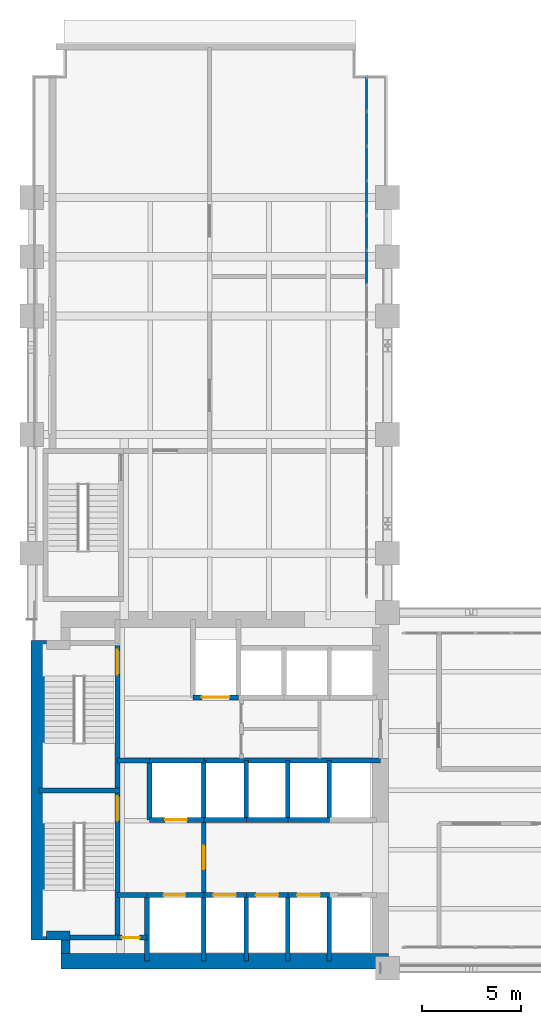
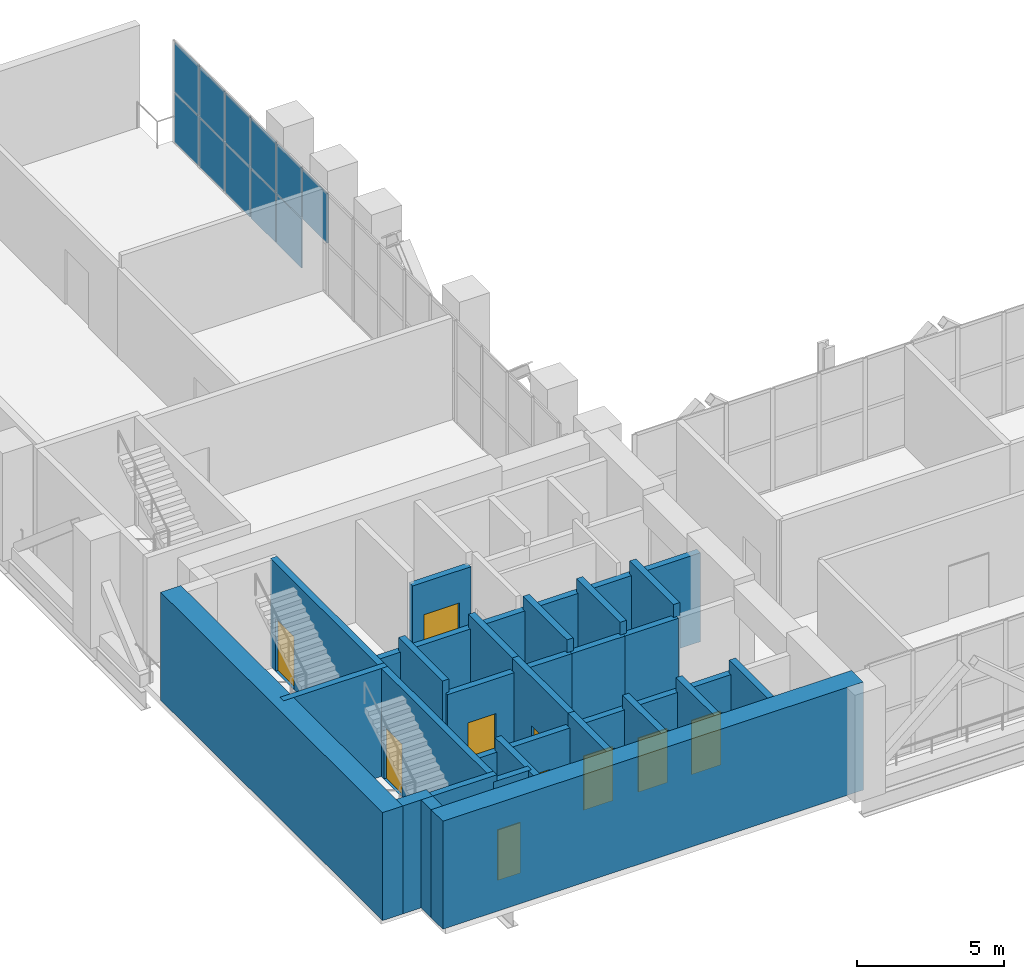
# One storey, part 23 of 27: 33 walls, 11 plates, 10 doors, 10 openings, 1 element without a shape of its own.
"""IFC4 building model written with IfcOpenShell, lengths in metres."""

import ifcopenshell
import ifcopenshell.guid

model = None  # the IFC model being written
_history = None  # IfcOwnerHistory: only IFC2X3 demands one
_inside = {}  # id of a spatial element -> (the spatial element, [elements in it])
_under = {}  # id of a project, library or spatial element -> (it, [spatial elements below it])
_declared = {}  # id of a project -> (the project, [libraries it declares])
_typed = {}  # id of a type object -> (the type object, [elements of that type])
_made_of = {}  # id of a material, layer set ... -> (it, [elements and type objects made of it])


def new_model(schema):
    """Start an empty IFC model of exactly this schema.

    Asked for "IFC4X3", IfcOpenShell would pick the latest addendum, in which some entities
    have other attributes; the version numbers below select the first issue.
    IFC2X3 requires an IfcOwnerHistory on every rooted entity: one is made here for all.
    """
    global model, _history
    if schema == "IFC4X3":
        model = ifcopenshell.file(schema_version=(4, 3, 0, 0))
    else:
        model = ifcopenshell.file(schema=schema)
    _inside.clear()
    _under.clear()
    _declared.clear()
    _typed.clear()
    _made_of.clear()
    _history = None
    if model.schema == "IFC2X3":
        org = make("IfcOrganization", Name="unknown")
        user = make(
            "IfcPersonAndOrganization",
            ThePerson=make("IfcPerson", FamilyName="unknown"),
            TheOrganization=org,
        )
        app = make(
            "IfcApplication",
            ApplicationDeveloper=org,
            Version="unknown",
            ApplicationFullName="unknown",
            ApplicationIdentifier="unknown",
        )
        _history = make(
            "IfcOwnerHistory",
            OwningUser=user,
            OwningApplication=app,
            ChangeAction="ADDED",
            CreationDate=0,
        )
    return model


def make(cls, **values):
    """One entity of the class cls with the attributes given. An attribute that is None is left unset."""
    return model.create_entity(
        cls, **{name: value for name, value in values.items() if value is not None}
    )


def rooted(cls, **values):
    """An entity with a GlobalId (a new one), such as an element, a storey or a relation."""
    return make(cls, GlobalId=ifcopenshell.guid.new(), OwnerHistory=_history, **values)


def si_unit(unit_type, name, prefix=None):
    """IfcSIUnit, for example si_unit("LENGTHUNIT", "METRE", prefix="MILLI")."""
    return make("IfcSIUnit", UnitType=unit_type, Prefix=prefix, Name=name)


def assignment(units):
    """IfcUnitAssignment: the units of a project."""
    return None if units is None else make("IfcUnitAssignment", Units=units)


def point(xyz):
    """IfcCartesianPoint."""
    return None if xyz is None else make("IfcCartesianPoint", Coordinates=xyz)


def direction(xyz):
    """IfcDirection."""
    return None if xyz is None else make("IfcDirection", DirectionRatios=xyz)


def frame(location, z_axis=None, x_axis=None):
    """IfcAxis2Placement3D, a coordinate frame: its origin and axes. An axis left out is left unset."""
    return make(
        "IfcAxis2Placement3D",
        Location=point(location),
        Axis=direction(z_axis),
        RefDirection=direction(x_axis),
    )


def frame_2d(location, x_axis=None):
    """IfcAxis2Placement2D, a coordinate frame in the plane: its origin and x axis."""
    return make(
        "IfcAxis2Placement2D", Location=point(location), RefDirection=direction(x_axis)
    )


def origin():
    """The frame at (0, 0, 0) with its axes left unset."""
    return frame((0.0, 0.0, 0.0))


def origin_2d():
    """The frame at (0, 0) in the plane with its x axis left unset."""
    return frame_2d((0.0, 0.0))


def place(relative_to, where):
    """IfcLocalPlacement: puts the frame where relative to a parent placement (None: the world)."""
    return make(
        "IfcLocalPlacement", PlacementRelTo=relative_to, RelativePlacement=where
    )


def context(
    kind, dimensions, precision=None, world=None, true_north=None, identifier=None
):
    """IfcGeometricRepresentationContext, for example the 3D "Model" context."""
    return make(
        "IfcGeometricRepresentationContext",
        ContextIdentifier=identifier,
        ContextType=kind,
        CoordinateSpaceDimension=dimensions,
        Precision=precision,
        WorldCoordinateSystem=world,
        TrueNorth=true_north,
    )


def subcontext(parent, identifier, kind, view, scale=None):
    """IfcGeometricRepresentationSubContext, for example "Body" below "Model"."""
    return make(
        "IfcGeometricRepresentationSubContext",
        ContextIdentifier=identifier,
        ContextType=kind,
        ParentContext=parent,
        TargetScale=scale,
        TargetView=view,
    )


def project(units=None, contexts=None):
    """IfcProject with its units and contexts."""
    return rooted(
        "IfcProject",
        Name="project",
        RepresentationContexts=contexts,
        UnitsInContext=assignment(units),
    )


def spatial(cls, under=None, at=None, **own):
    """A site, building, storey or space (cls), placed at a placement, below another one or the project."""
    s = rooted(cls, ObjectPlacement=at, **own)
    if under is not None:
        _under.setdefault(under.id(), (under, []))[1].append(s)
    return s


def profile(cls, at=None, kind="AREA", **sizes):
    """A parametric profile (cls). Its sizes go by their IFC names, for example OverallWidth=200.0."""
    return make(cls, ProfileType=kind, Position=at, **sizes)


def rectangle(**sizes):
    """IfcRectangleProfileDef."""
    return profile("IfcRectangleProfileDef", **sizes)


def extrude(swept, where, along, depth):
    """IfcExtrudedAreaSolid: the profile swept, set in the frame where, extruded along a direction by depth."""
    return make(
        "IfcExtrudedAreaSolid",
        SweptArea=swept,
        Position=where,
        ExtrudedDirection=direction(along),
        Depth=depth,
    )


def shape(context_of_items, identifier, shape_type, items):
    """IfcShapeRepresentation: the items that make up one representation, for example the "Body"."""
    return make(
        "IfcShapeRepresentation",
        ContextOfItems=context_of_items,
        RepresentationIdentifier=identifier,
        RepresentationType=shape_type,
        Items=items,
    )


def material(Name=None, Category=None):
    """IfcMaterial."""
    return make("IfcMaterial", Name=Name, Category=Category)


def layer(
    of_material, thickness, ventilated=None, Name=None, Category=None, Priority=None
):
    """IfcMaterialLayer: one layer of a wall or slab, of a material (None: an air gap)."""
    return make(
        "IfcMaterialLayer",
        Material=of_material,
        LayerThickness=thickness,
        IsVentilated=ventilated,
        Name=Name,
        Category=Category,
        Priority=Priority,
    )


def layer_set(layers, Name=None):
    """IfcMaterialLayerSet."""
    return make("IfcMaterialLayerSet", MaterialLayers=layers, LayerSetName=Name)


def made_of(thing, what):
    """Note that an element or type object is made of a material, layer set ...; save() writes the relation."""
    if what is not None:
        _made_of.setdefault(what.id(), (what, []))[1].append(thing)
    return thing


def type_object(cls, material=None, **own):
    """A type object (cls), such as IfcWallType, which elements share."""
    return made_of(rooted(cls, **own), material)


def element(
    cls,
    number,
    at=None,
    inside=None,
    cuts=None,
    type_object=None,
    material=None,
    context=None,
    identifier="Body",
    shape_type=None,
    held_by="IfcProductDefinitionShape",
    body=None,
    shapes=None,
    **own,
):
    """One element of the class cls, such as IfcWall. Its Tag is "e" and its number.

    at: its placement. inside: the storey or other place that contains it. cuts: it is an
    opening in that element (IfcRelVoidsElement). A single representation is given by context,
    identifier, shape_type and body (its items); several are given by shapes. held_by: the class
    of the entity that holds the representations. save() writes the other relations.
    """
    e = rooted(cls, Tag="e%d" % number, ObjectPlacement=at, **own)
    if body is not None:
        shapes = [shape(context, identifier, shape_type, body)]
    if shapes is not None:
        e.Representation = make(held_by, Representations=shapes)
    if inside is not None:
        _inside.setdefault(inside.id(), (inside, []))[1].append(e)
    if cuts is not None:
        rooted(
            "IfcRelVoidsElement", RelatingBuildingElement=cuts, RelatedOpeningElement=e
        )
    if type_object is not None:
        _typed.setdefault(type_object.id(), (type_object, []))[1].append(e)
    return made_of(e, material)


def fill(opening, filler):
    """IfcRelFillsElement: the door or window that sits in an opening."""
    return rooted(
        "IfcRelFillsElement",
        RelatingOpeningElement=opening,
        RelatedBuildingElement=filler,
    )


def aggregate(whole, parts):
    """IfcRelAggregates: a whole, such as a stair, and the parts it consists of."""
    return rooted("IfcRelAggregates", RelatingObject=whole, RelatedObjects=parts)


def save(model, path):
    """Write the relations noted so far, then the file.

    IfcRelAggregates (storeys below a building ...), IfcRelContainedInSpatialStructure (elements
    in a storey), IfcRelDefinesByType, IfcRelAssociatesMaterial and IfcRelDeclares: one each for
    every whole, place, type object, material and project.
    """
    for whole, parts in _under.values():
        aggregate(whole, parts)
    for where, things in _inside.values():
        rooted(
            "IfcRelContainedInSpatialStructure",
            RelatedElements=things,
            RelatingStructure=where,
        )
    for kind, things in _typed.values():
        rooted("IfcRelDefinesByType", RelatedObjects=things, RelatingType=kind)
    for what, things in _made_of.values():
        rooted("IfcRelAssociatesMaterial", RelatedObjects=things, RelatingMaterial=what)
    for by, libraries in _declared.values():
        rooted("IfcRelDeclares", RelatingContext=by, RelatedDefinitions=libraries)
    model.write(path)


model = new_model("IFC4")

# Units and contexts
model_context = context("Model", 3, precision=1e-05, world=origin(), true_north=direction((0.0, 1.0)))
body_context = subcontext(model_context, "Body", "Model", "MODEL_VIEW")
ifc_project = project(units=[si_unit("LENGTHUNIT", "METRE"), si_unit("AREAUNIT", "SQUARE_METRE"), si_unit("VOLUMEUNIT", "CUBIC_METRE"), si_unit("PLANEANGLEUNIT", "RADIAN"), si_unit("MASSUNIT", "GRAM", prefix="KILO")], contexts=[model_context])

# Site, building, storey
site_placement = place(None, origin())
site = spatial("IfcSite", under=ifc_project, at=site_placement, CompositionType="ELEMENT")
building_placement = place(site_placement, origin())
building = spatial("IfcBuilding", under=site, at=building_placement, Name="Mawjdan Bourse Tower", CompositionType="ELEMENT")
storey_placement = place(building_placement, frame((0.0, 0.0, 84.60009765625)))
storey = spatial("IfcBuildingStorey", under=building, at=storey_placement, Name="L19", CompositionType="ELEMENT", Elevation=84.60009765625)

# Curtain wall, plates
ifc_material_1 = material(Name="Thermally Broken Aluminium and Solar Glass", Category="aluminium")
ifc_layer_1 = layer(ifc_material_1, 0.219970703125)
ifc_layer_set_1 = layer_set([ifc_layer_1], Name="Thermally Broken Aluminium and Solar Glass")
curtain_wall_type = type_object("IfcCurtainWallType", Name="CW-RFG", PredefinedType="USERDEFINED", material=ifc_layer_set_1)
curtain_wall_placement = place(storey_placement, origin())
curtain_wall = element("IfcCurtainWall", 1, at=curtain_wall_placement, inside=storey, type_object=curtain_wall_type, Name="L19 Refuge Band North-Wing Louvre Curtain Wall", ObjectType="REFUGE BAND LOUVRE SCREEN", PredefinedType="USERDEFINED")
ifc_material_2 = material(Name="Anodised Sand-Trap Aluminium Louvre", Category="aluminium")
ifc_layer_2 = layer(ifc_material_2, 0.050048828125)
ifc_layer_set_2 = layer_set([ifc_layer_2], Name="Anodised Sand-Trap Aluminium Louvre")
plate_type = type_object("IfcPlateType", Name="PNL-CW-RFG", PredefinedType="CURTAIN_PANEL", material=ifc_layer_set_2)
plate_1_placement = place(storey_placement, frame((22.949951171875, 38.456787109375, 2.15234375), z_axis=(0.0, 0.0, 1.0), x_axis=(0.0, 1.0, 0.0)))
plate_1 = element("IfcPlate", 2, at=plate_1_placement, type_object=plate_type, Name="CW-RFG-L19-RFG-W panel 10.2", PredefinedType="CURTAIN_PANEL", context=body_context, shape_type="SweptSolid", body=[
    extrude(rectangle(XDim=1.688232421875, YDim=0.050048828125, at=origin_2d()), origin(), (0.0, 0.0, 1.0), 2.04248046875),
])
plate_2_placement = place(storey_placement, frame((22.949951171875, 40.2099609375, 0.054931640625), z_axis=(0.0, 0.0, 1.0), x_axis=(0.0, 1.0, 0.0)))
plate_2 = element("IfcPlate", 3, at=plate_2_placement, type_object=plate_type, Name="CW-RFG-L19-RFG-W panel 11.1", PredefinedType="CURTAIN_PANEL", context=body_context, shape_type="SweptSolid", body=[
    extrude(rectangle(XDim=1.688232421875, YDim=0.050048828125, at=origin_2d()), origin(), (0.0, 0.0, 1.0), 2.04248046875),
])
plate_3_placement = place(storey_placement, frame((22.949951171875, 40.2099609375, 2.15234375), z_axis=(0.0, 0.0, 1.0), x_axis=(0.0, 1.0, 0.0)))
plate_3 = element("IfcPlate", 4, at=plate_3_placement, type_object=plate_type, Name="CW-RFG-L19-RFG-W panel 11.2", PredefinedType="CURTAIN_PANEL", context=body_context, shape_type="SweptSolid", body=[
    extrude(rectangle(XDim=1.688232421875, YDim=0.050048828125, at=origin_2d()), origin(), (0.0, 0.0, 1.0), 2.04248046875),
])
plate_4_placement = place(storey_placement, frame((22.949951171875, 41.96337890625, 0.054931640625), z_axis=(0.0, 0.0, 1.0), x_axis=(0.0, 1.0, 0.0)))
plate_4 = element("IfcPlate", 5, at=plate_4_placement, type_object=plate_type, Name="CW-RFG-L19-RFG-W panel 12.1", PredefinedType="CURTAIN_PANEL", context=body_context, shape_type="SweptSolid", body=[
    extrude(rectangle(XDim=1.688232421875, YDim=0.050048828125, at=origin_2d()), origin(), (0.0, 0.0, 1.0), 2.04248046875),
])
plate_5_placement = place(storey_placement, frame((22.949951171875, 41.96337890625, 2.15234375), z_axis=(0.0, 0.0, 1.0), x_axis=(0.0, 1.0, 0.0)))
plate_5 = element("IfcPlate", 6, at=plate_5_placement, type_object=plate_type, Name="CW-RFG-L19-RFG-W panel 12.2", PredefinedType="CURTAIN_PANEL", context=body_context, shape_type="SweptSolid", body=[
    extrude(rectangle(XDim=1.688232421875, YDim=0.050048828125, at=origin_2d()), origin(), (0.0, 0.0, 1.0), 2.04248046875),
])
plate_6_placement = place(storey_placement, frame((22.949951171875, 43.716552734375, 0.054931640625), z_axis=(0.0, 0.0, 1.0), x_axis=(0.0, 1.0, 0.0)))
plate_6 = element("IfcPlate", 7, at=plate_6_placement, type_object=plate_type, Name="CW-RFG-L19-RFG-W panel 13.1", PredefinedType="CURTAIN_PANEL", context=body_context, shape_type="SweptSolid", body=[
    extrude(rectangle(XDim=1.688232421875, YDim=0.050048828125, at=origin_2d()), origin(), (0.0, 0.0, 1.0), 2.04248046875),
])
plate_7_placement = place(storey_placement, frame((22.949951171875, 43.716552734375, 2.15234375), z_axis=(0.0, 0.0, 1.0), x_axis=(0.0, 1.0, 0.0)))
plate_7 = element("IfcPlate", 8, at=plate_7_placement, type_object=plate_type, Name="CW-RFG-L19-RFG-W panel 13.2", PredefinedType="CURTAIN_PANEL", context=body_context, shape_type="SweptSolid", body=[
    extrude(rectangle(XDim=1.688232421875, YDim=0.050048828125, at=origin_2d()), origin(), (0.0, 0.0, 1.0), 2.04248046875),
])
plate_8_placement = place(storey_placement, frame((22.949951171875, 45.469970703125, 0.054931640625), z_axis=(0.0, 0.0, 1.0), x_axis=(0.0, 1.0, 0.0)))
plate_8 = element("IfcPlate", 9, at=plate_8_placement, type_object=plate_type, Name="CW-RFG-L19-RFG-W panel 14.1", PredefinedType="CURTAIN_PANEL", context=body_context, shape_type="SweptSolid", body=[
    extrude(rectangle(XDim=1.688232421875, YDim=0.050048828125, at=origin_2d()), origin(), (0.0, 0.0, 1.0), 2.04248046875),
])
plate_9_placement = place(storey_placement, frame((22.949951171875, 45.469970703125, 2.15234375), z_axis=(0.0, 0.0, 1.0), x_axis=(0.0, 1.0, 0.0)))
plate_9 = element("IfcPlate", 10, at=plate_9_placement, type_object=plate_type, Name="CW-RFG-L19-RFG-W panel 14.2", PredefinedType="CURTAIN_PANEL", context=body_context, shape_type="SweptSolid", body=[
    extrude(rectangle(XDim=1.688232421875, YDim=0.050048828125, at=origin_2d()), origin(), (0.0, 0.0, 1.0), 2.04248046875),
])
plate_10_placement = place(storey_placement, frame((22.949951171875, 47.20703125, 0.054931640625), z_axis=(0.0, 0.0, 1.0), x_axis=(0.0, 1.0, 0.0)))
plate_10 = element("IfcPlate", 11, at=plate_10_placement, type_object=plate_type, Name="CW-RFG-L19-RFG-W panel 15.1", PredefinedType="CURTAIN_PANEL", context=body_context, shape_type="SweptSolid", body=[
    extrude(rectangle(XDim=1.65576171875, YDim=0.050048828125, at=origin_2d()), origin(), (0.0, 0.0, 1.0), 2.04248046875),
])
plate_11_placement = place(storey_placement, frame((22.949951171875, 47.20703125, 2.15234375), z_axis=(0.0, 0.0, 1.0), x_axis=(0.0, 1.0, 0.0)))
plate_11 = element("IfcPlate", 12, at=plate_11_placement, type_object=plate_type, Name="CW-RFG-L19-RFG-W panel 15.2", PredefinedType="CURTAIN_PANEL", context=body_context, shape_type="SweptSolid", body=[
    extrude(rectangle(XDim=1.65576171875, YDim=0.050048828125, at=origin_2d()), origin(), (0.0, 0.0, 1.0), 2.04248046875),
])
aggregate(curtain_wall, [plate_1, plate_2, plate_3, plate_4, plate_5, plate_6, plate_7, plate_8, plate_9, plate_10, plate_11])

# Walls
ifc_material_3 = material(Name="Concrete C60/75", Category="concrete")
ifc_layer_3 = layer(ifc_material_3, 0.449951171875)
ifc_layer_set_3 = layer_set([ifc_layer_3], Name="Concrete C60/75")
wall_type_1 = type_object("IfcWallType", Name="WL-CORE-450", PredefinedType="SHEAR", material=ifc_layer_set_3)
wall_1_placement = place(storey_placement, frame((6.75, 4.64990234375, 0.0), z_axis=(0.0, 0.0, 1.0), x_axis=(1.0, 0.0, 0.0)))
element("IfcWall", 13, at=wall_1_placement, inside=storey, type_object=wall_type_1, Name="L19 Rear Core Shear Wall SW-X", PredefinedType="SHEAR", context=body_context, shape_type="SweptSolid", body=[
    extrude(rectangle(XDim=1.175048828125, YDim=0.449951171875, at=frame_2d((0.58740234375, 0.0))), origin(), (0.0, 0.0, 1.0), 4.5),
])
wall_2_placement = place(storey_placement, frame((7.699951171875, 3.75, 0.0), z_axis=(0.0, 0.0, 1.0), x_axis=(0.0, 1.0, 0.0)))
element("IfcWall", 14, at=wall_2_placement, inside=storey, type_object=wall_type_1, Name="L19 Rear Core Shear Wall SW-Y", PredefinedType="SHEAR", context=body_context, shape_type="SweptSolid", body=[
    extrude(rectangle(XDim=0.675048828125, YDim=0.449951171875, at=frame_2d((0.33740234375, 0.0))), origin(), (0.0, 0.0, 1.0), 4.5),
])
ifc_material_4 = material(Name="Concrete C80/95", Category="concrete")
ifc_layer_4 = layer(ifc_material_4, 0.800048828125)
ifc_layer_set_4 = layer_set([ifc_layer_4], Name="Concrete C80/95")
wall_type_2 = type_object("IfcWallType", Name="WL-CORE-800", PredefinedType="SHEAR", material=ifc_layer_set_4)
wall_3_placement = place(storey_placement, frame((7.47509765625, 3.35009765625, 0.0), z_axis=(0.0, 0.0, 1.0), x_axis=(1.0, 0.0, 0.0)))
element("IfcWall", 15, at=wall_3_placement, inside=storey, type_object=wall_type_2, Name="L19 Rear Core Shear Wall S", PredefinedType="SHEAR", context=body_context, shape_type="SweptSolid", body=[
    extrude(rectangle(XDim=16.574951171875, YDim=0.800048828125, at=frame_2d((8.28759765625, 0.0))), origin(), (0.0, 0.0, 1.0), 4.5),
])
wall_4_placement = place(storey_placement, frame((6.35009765625, 4.425048828125, 0.0), z_axis=(0.0, 0.0, 1.0), x_axis=(0.0, 1.0, 0.0)))
element("IfcWall", 16, at=wall_4_placement, inside=storey, type_object=wall_type_2, Name="L19 Rear Core Shear Wall W", PredefinedType="SHEAR", context=body_context, shape_type="SweptSolid", body=[
    extrude(rectangle(XDim=15.14990234375, YDim=0.800048828125, at=frame_2d((7.574951171875, 0.0))), origin(), (0.0, 0.0, 1.0), 4.5),
])

# Wall, opening, door
ifc_material_5 = material(Name="Concrete C50/60", Category="concrete")
ifc_layer_5 = layer(ifc_material_5, 0.25)
ifc_layer_set_5 = layer_set([ifc_layer_5], Name="Concrete C50/60")
wall_type_3 = type_object("IfcWallType", Name="WL-SHFT-250", PredefinedType="PARTITIONING", material=ifc_layer_set_5)
wall_5_placement = place(storey_placement, frame((10.330078125, 4.550048828125, 0.0), z_axis=(0.0, 0.0, 1.0), x_axis=(1.0, 0.0, 0.0)))
wall_5 = element("IfcWall", 17, at=wall_5_placement, inside=storey, type_object=wall_type_3, Name="L19 SW Riser North Wall", PredefinedType="PARTITIONING", context=body_context, shape_type="SweptSolid", body=[
    extrude(rectangle(XDim=1.489990234375, YDim=0.25, at=frame_2d((0.7451171875, 0.0))), origin(), (0.0, 0.0, 1.0), 4.239990234375),
])
opening_1_placement = place(wall_5_placement, frame((0.219970703125, 0.0, 0.0)))
opening_1 = element("IfcOpeningElement", 18, at=opening_1_placement, cuts=wall_5, Name="Opening RD-L19-03", PredefinedType="OPENING", context=body_context, shape_type="SweptSolid", body=[
    extrude(rectangle(XDim=0.89990234375, YDim=2.10009765625, at=frame_2d((0.449951171875, 1.050048828125))), frame((0.0, 0.135009765625, 0.0), z_axis=(0.0, -1.0, 0.0), x_axis=(1.0, 0.0, 0.0)), (0.0, 0.0, 1.0), 0.27001953125),
])
ifc_material_6 = material(Name="Fire-Rated Steel Access Leaf", Category="steel")
door_type_1 = type_object("IfcDoorType", Name="FD-RSR-0900", OperationType="NOTDEFINED", PredefinedType="TRAPDOOR", material=ifc_material_6)
door_1_placement = place(opening_1_placement, origin())
door_1 = element("IfcDoor", 19, at=door_1_placement, inside=storey, type_object=door_type_1, Name="L19 Electrical Riser Access Door RD-L19-03", OperationType="SINGLE_SWING_RIGHT", OverallHeight=2.10009765625, OverallWidth=0.89990234375, PredefinedType="TRAPDOOR", context=body_context, shape_type="SweptSolid", body=[
    extrude(rectangle(XDim=0.89990234375, YDim=2.10009765625, at=frame_2d((0.449951171875, 1.050048828125))), frame((0.0, 0.02490234375, 0.0), z_axis=(0.0, -1.0, 0.0), x_axis=(1.0, 0.0, 0.0)), (0.0, 0.0, 1.0), 0.050048828125),
])
fill(opening_1, door_1)

# Wall
wall_6_placement = place(storey_placement, frame((11.820068359375, 3.35009765625, 0.0), z_axis=(0.0, 0.0, 1.0), x_axis=(0.0, 1.0, 0.0)))
element("IfcWall", 20, at=wall_6_placement, inside=storey, type_object=wall_type_3, Name="L19 SW Riser & FFL01 West Wall", PredefinedType="PARTITIONING", context=body_context, shape_type="SweptSolid", body=[
    extrude(rectangle(XDim=3.349853515625, YDim=0.25, at=frame_2d((1.6748046875, 0.0))), origin(), (0.0, 0.0, 1.0), 4.239990234375),
])

# Wall, opening, door
wall_7_placement = place(storey_placement, frame((11.820068359375, 6.699951171875, 0.0), z_axis=(0.0, 0.0, 1.0), x_axis=(1.0, 0.0, 0.0)))
wall_7 = element("IfcWall", 21, at=wall_7_placement, inside=storey, type_object=wall_type_3, Name="L19 FFL-01 Front Shaft Wall", PredefinedType="PARTITIONING", context=body_context, shape_type="SweptSolid", body=[
    extrude(rectangle(XDim=2.8798828125, YDim=0.25, at=frame_2d((1.43994140625, 0.0))), origin(), (0.0, 0.0, 1.0), 3.702880859375),
])
opening_2_placement = place(wall_7_placement, frame((0.85009765625, 0.0, 0.0)))
opening_2 = element("IfcOpeningElement", 22, at=opening_2_placement, cuts=wall_7, Name="Opening LD-L19-05", PredefinedType="OPENING", context=body_context, shape_type="SweptSolid", body=[
    extrude(rectangle(XDim=1.10009765625, YDim=2.25, at=frame_2d((0.550048828125, 1.125))), frame((0.0, 0.135009765625, 0.0), z_axis=(0.0, -1.0, 0.0), x_axis=(1.0, 0.0, 0.0)), (0.0, 0.0, 1.0), 0.27001953125),
])
ifc_material_7 = material(Name="Brushed Stainless Steel", Category="steel")
door_type_2 = type_object("IfcDoorType", Name="LD-FFL-1100", OperationType="DOUBLE_DOOR_SLIDING", PredefinedType="DOOR", material=ifc_material_7)
door_2_placement = place(opening_2_placement, origin())
door_2 = element("IfcDoor", 23, at=door_2_placement, inside=storey, type_object=door_type_2, Name="L19 Firefighting Lift FFL-01 Landing Door LD-L19-05", OperationType="DOUBLE_DOOR_SLIDING", OverallHeight=2.25, OverallWidth=1.10009765625, PredefinedType="DOOR", context=body_context, shape_type="SweptSolid", body=[
    extrude(rectangle(XDim=1.10009765625, YDim=2.25, at=frame_2d((0.550048828125, 1.125))), frame((0.0, 0.02490234375, 0.0), z_axis=(0.0, -1.0, 0.0), x_axis=(1.0, 0.0, 0.0)), (0.0, 0.0, 1.0), 0.050048828125),
])
fill(opening_2, door_2)

# Wall
wall_8_placement = place(storey_placement, frame((14.699951171875, 3.35009765625, 0.0), z_axis=(0.0, 0.0, 1.0), x_axis=(0.0, 1.0, 0.0)))
element("IfcWall", 24, at=wall_8_placement, inside=storey, type_object=wall_type_3, Name="L19 FFL-01 East Shaft Wall", PredefinedType="PARTITIONING", context=body_context, shape_type="SweptSolid", body=[
    extrude(rectangle(XDim=3.349853515625, YDim=0.25, at=frame_2d((1.6748046875, 0.0))), origin(), (0.0, 0.0, 1.0), 4.239990234375),
])

# Wall, opening, door
wall_9_placement = place(storey_placement, frame((11.949951171875, 10.5, 0.0), z_axis=(0.0, 0.0, 1.0), x_axis=(1.0, 0.0, 0.0)))
wall_9 = element("IfcWall", 25, at=wall_9_placement, inside=storey, type_object=wall_type_3, Name="L19 FFL-02 Front Shaft Wall", PredefinedType="PARTITIONING", context=body_context, shape_type="SweptSolid", body=[
    extrude(rectangle(XDim=2.75, YDim=0.25, at=frame_2d((1.375, 0.0))), origin(), (0.0, 0.0, 1.0), 3.702880859375),
])
opening_3_placement = place(wall_9_placement, frame((0.800048828125, 0.0, 0.0)))
opening_3 = element("IfcOpeningElement", 26, at=opening_3_placement, cuts=wall_9, Name="Opening LD-L19-06", PredefinedType="OPENING", context=body_context, shape_type="SweptSolid", body=[
    extrude(rectangle(XDim=1.10009765625, YDim=2.25, at=frame_2d((0.550048828125, 1.125))), frame((0.0, 0.135009765625, 0.0), z_axis=(0.0, -1.0, 0.0), x_axis=(1.0, 0.0, 0.0)), (0.0, 0.0, 1.0), 0.27001953125),
])
door_3_placement = place(opening_3_placement, origin())
door_3 = element("IfcDoor", 27, at=door_3_placement, inside=storey, type_object=door_type_2, Name="L19 Firefighting Lift FFL-02 Landing Door LD-L19-06", OperationType="DOUBLE_DOOR_SLIDING", OverallHeight=2.25, OverallWidth=1.10009765625, PredefinedType="DOOR", context=body_context, shape_type="SweptSolid", body=[
    extrude(rectangle(XDim=1.10009765625, YDim=2.25, at=frame_2d((0.550048828125, 1.125))), frame((0.0, 0.02490234375, 0.0), z_axis=(0.0, -1.0, 0.0), x_axis=(1.0, 0.0, 0.0)), (0.0, 0.0, 1.0), 0.050048828125),
])
fill(opening_3, door_3)

# Walls
wall_10_placement = place(storey_placement, frame((11.949951171875, 10.5, 0.0), z_axis=(0.0, 0.0, 1.0), x_axis=(0.0, 1.0, 0.0)))
element("IfcWall", 28, at=wall_10_placement, inside=storey, type_object=wall_type_3, Name="L19 FFL-02 West Shaft Wall", PredefinedType="PARTITIONING", context=body_context, shape_type="SweptSolid", body=[
    extrude(rectangle(XDim=3.0, YDim=0.25, at=frame_2d((1.5, 0.0))), origin(), (0.0, 0.0, 1.0), 4.239990234375),
])
wall_11_placement = place(storey_placement, frame((11.949951171875, 13.5, 0.0), z_axis=(0.0, 0.0, 1.0), x_axis=(1.0, 0.0, 0.0)))
element("IfcWall", 29, at=wall_11_placement, inside=storey, type_object=wall_type_3, Name="L19 FFL-02 North Shaft Wall", PredefinedType="PARTITIONING", context=body_context, shape_type="SweptSolid", body=[
    extrude(rectangle(XDim=2.75, YDim=0.25, at=frame_2d((1.375, 0.0))), origin(), (0.0, 0.0, 1.0), 3.702880859375),
])
wall_12_placement = place(storey_placement, frame((14.699951171875, 10.5, 0.0), z_axis=(0.0, 0.0, 1.0), x_axis=(0.0, 1.0, 0.0)))
element("IfcWall", 30, at=wall_12_placement, inside=storey, type_object=wall_type_3, Name="L19 FFL-02 East Shaft Wall", PredefinedType="PARTITIONING", context=body_context, shape_type="SweptSolid", body=[
    extrude(rectangle(XDim=3.0, YDim=0.25, at=frame_2d((1.5, 0.0))), origin(), (0.0, 0.0, 1.0), 4.239990234375),
])

# Wall, opening, door
wall_13_placement = place(storey_placement, frame((14.699951171875, 6.699951171875, 0.0), z_axis=(0.0, 0.0, 1.0), x_axis=(0.0, 1.0, 0.0)))
wall_13 = element("IfcWall", 31, at=wall_13_placement, inside=storey, type_object=wall_type_3, Name="L19 Firefighting Lobby East Compartment Wall", PredefinedType="PARTITIONING", context=body_context, shape_type="SweptSolid", body=[
    extrude(rectangle(XDim=3.800048828125, YDim=0.25, at=frame_2d((1.89990234375, 0.0))), origin(), (0.0, 0.0, 1.0), 4.239990234375),
])
opening_4_placement = place(wall_13_placement, frame((1.300048828125, 0.0, 0.0)))
opening_4 = element("IfcOpeningElement", 32, at=opening_4_placement, cuts=wall_13, Name="Opening FD-L19-07", PredefinedType="OPENING", context=body_context, shape_type="SweptSolid", body=[
    extrude(rectangle(XDim=1.199951171875, YDim=2.199951171875, at=frame_2d((0.60009765625, 1.10009765625))), frame((0.0, 0.135009765625, 0.0), z_axis=(0.0, -1.0, 0.0), x_axis=(1.0, 0.0, 0.0)), (0.0, 0.0, 1.0), 0.27001953125),
])
ifc_material_8 = material(Name="Fire-Rated Steel Leaf", Category="steel")
door_type_3 = type_object("IfcDoorType", Name="FD-FFL-1200", OperationType="NOTDEFINED", PredefinedType="DOOR", material=ifc_material_8)
door_4_placement = place(opening_4_placement, origin())
door_4 = element("IfcDoor", 33, at=door_4_placement, inside=storey, type_object=door_type_3, Name="L19 Firefighting Lobby East Smoke Door FD-L19-07", OperationType="SINGLE_SWING_RIGHT", OverallHeight=2.199951171875, OverallWidth=1.199951171875, PredefinedType="DOOR", context=body_context, shape_type="SweptSolid", body=[
    extrude(rectangle(XDim=1.199951171875, YDim=2.199951171875, at=frame_2d((0.60009765625, 1.10009765625))), frame((0.0, 0.02490234375, 0.0), z_axis=(0.0, -1.0, 0.0), x_axis=(1.0, 0.0, 0.0)), (0.0, 0.0, 1.0), 0.050048828125),
])
fill(opening_4, door_4)

# Walls
wall_14_placement = place(storey_placement, frame((10.330078125, 13.5, 0.0), z_axis=(0.0, 0.0, 1.0), x_axis=(1.0, 0.0, 0.0)))
element("IfcWall", 34, at=wall_14_placement, inside=storey, type_object=wall_type_3, Name="L19 Firefighting Lobby North Compartment Wall", PredefinedType="PARTITIONING", context=body_context, shape_type="SweptSolid", body=[
    extrude(rectangle(XDim=1.619873046875, YDim=0.25, at=frame_2d((0.81005859375, 0.0))), origin(), (0.0, 0.0, 1.0), 3.702880859375),
])
wall_15_placement = place(storey_placement, frame((10.330078125, 6.699951171875, 0.0), z_axis=(0.0, 0.0, 1.0), x_axis=(1.0, 0.0, 0.0)))
element("IfcWall", 35, at=wall_15_placement, inside=storey, type_object=wall_type_3, Name="L19 Firefighting Lobby South Closure Wall", PredefinedType="PARTITIONING", context=body_context, shape_type="SweptSolid", body=[
    extrude(rectangle(XDim=1.489990234375, YDim=0.25, at=frame_2d((0.7451171875, 0.0))), origin(), (0.0, 0.0, 1.0), 3.702880859375),
])

# Wall, opening, door
wall_16_placement = place(storey_placement, frame((14.14990234375, 16.699951171875, 0.0), z_axis=(0.0, 0.0, 1.0), x_axis=(1.0, 0.0, 0.0)))
wall_16 = element("IfcWall", 36, at=wall_16_placement, inside=storey, type_object=wall_type_3, Name="L19 SVL-01 Front Shaft Wall", PredefinedType="PARTITIONING", context=body_context, shape_type="SweptSolid", body=[
    extrude(rectangle(XDim=2.300048828125, YDim=0.25, at=frame_2d((1.14990234375, 0.0))), origin(), (0.0, 0.0, 1.0), 3.702880859375),
])
opening_5_placement = place(wall_16_placement, frame((0.449951171875, 0.0, 0.0)))
opening_5 = element("IfcOpeningElement", 37, at=opening_5_placement, cuts=wall_16, Name="Opening LD-L19-09", PredefinedType="OPENING", context=body_context, shape_type="SweptSolid", body=[
    extrude(rectangle(XDim=1.39990234375, YDim=2.35009765625, at=frame_2d((0.699951171875, 1.175048828125))), frame((0.0, 0.135009765625, 0.0), z_axis=(0.0, -1.0, 0.0), x_axis=(1.0, 0.0, 0.0)), (0.0, 0.0, 1.0), 0.27001953125),
])
ifc_material_9 = material(Name="Heavy-Duty Stainless Steel", Category="steel")
door_type_4 = type_object("IfcDoorType", Name="LD-SRV-1400", OperationType="DOUBLE_DOOR_SLIDING", PredefinedType="DOOR", material=ifc_material_9)
door_5_placement = place(opening_5_placement, origin())
door_5 = element("IfcDoor", 38, at=door_5_placement, inside=storey, type_object=door_type_4, Name="L19 Service Lift SVL-01 Landing Door LD-L19-09", OperationType="DOUBLE_DOOR_SLIDING", OverallHeight=2.35009765625, OverallWidth=1.39990234375, PredefinedType="DOOR", context=body_context, shape_type="SweptSolid", body=[
    extrude(rectangle(XDim=1.39990234375, YDim=2.35009765625, at=frame_2d((0.699951171875, 1.175048828125))), frame((0.0, 0.02490234375, 0.0), z_axis=(0.0, -1.0, 0.0), x_axis=(1.0, 0.0, 0.0)), (0.0, 0.0, 1.0), 0.050048828125),
])
fill(opening_5, door_5)

wall_17_placement = place(storey_placement, frame((14.699951171875, 6.699951171875, 0.0), z_axis=(0.0, 0.0, 1.0), x_axis=(1.0, 0.0, 0.0)))
wall_17 = element("IfcWall", 39, at=wall_17_placement, inside=storey, type_object=wall_type_3, Name="L19 PL-04 Front Wall", PredefinedType="PARTITIONING", context=body_context, shape_type="SweptSolid", body=[
    extrude(rectangle(XDim=2.150146484375, YDim=0.25, at=frame_2d((1.0751953125, 0.0))), origin(), (0.0, 0.0, 1.0), 3.702880859375),
])
opening_6_placement = place(wall_17_placement, frame((0.47998046875, 0.0, 0.0)))
opening_6 = element("IfcOpeningElement", 40, at=opening_6_placement, cuts=wall_17, Name="Opening LD-L19-10", PredefinedType="OPENING", context=body_context, shape_type="SweptSolid", body=[
    extrude(rectangle(XDim=1.14990234375, YDim=2.25, at=frame_2d((0.574951171875, 1.125))), frame((0.0, 0.135009765625, 0.0), z_axis=(0.0, -1.0, 0.0), x_axis=(1.0, 0.0, 0.0)), (0.0, 0.0, 1.0), 0.27001953125),
])
door_type_5 = type_object("IfcDoorType", Name="LD-PAS-1150", OperationType="DOUBLE_DOOR_SLIDING", PredefinedType="DOOR", material=ifc_material_7)
door_6_placement = place(opening_6_placement, origin())
door_6 = element("IfcDoor", 41, at=door_6_placement, inside=storey, type_object=door_type_5, Name="L19 Lift PL-04 Landing Door LD-L19-10", OperationType="DOUBLE_DOOR_SLIDING", OverallHeight=2.25, OverallWidth=1.14990234375, PredefinedType="DOOR", context=body_context, shape_type="SweptSolid", body=[
    extrude(rectangle(XDim=1.14990234375, YDim=2.25, at=frame_2d((0.574951171875, 1.125))), frame((0.0, 0.02490234375, 0.0), z_axis=(0.0, -1.0, 0.0), x_axis=(1.0, 0.0, 0.0)), (0.0, 0.0, 1.0), 0.050048828125),
])
fill(opening_6, door_6)

# Wall
wall_18_placement = place(storey_placement, frame((16.85009765625, 3.35009765625, 0.0), z_axis=(0.0, 0.0, 1.0), x_axis=(0.0, 1.0, 0.0)))
element("IfcWall", 42, at=wall_18_placement, inside=storey, type_object=wall_type_3, Name="L19 PL-04 Divider Wall", PredefinedType="PARTITIONING", context=body_context, shape_type="SweptSolid", body=[
    extrude(rectangle(XDim=3.349853515625, YDim=0.25, at=frame_2d((1.6748046875, 0.0))), origin(), (0.0, 0.0, 1.0), 4.239990234375),
])

# Wall, opening, door
wall_19_placement = place(storey_placement, frame((16.85009765625, 6.699951171875, 0.0), z_axis=(0.0, 0.0, 1.0), x_axis=(1.0, 0.0, 0.0)))
wall_19 = element("IfcWall", 43, at=wall_19_placement, inside=storey, type_object=wall_type_3, Name="L19 PL-01 Front Wall", PredefinedType="PARTITIONING", context=body_context, shape_type="SweptSolid", body=[
    extrude(rectangle(XDim=2.099853515625, YDim=0.25, at=frame_2d((1.0498046875, 0.0))), origin(), (0.0, 0.0, 1.0), 3.702880859375),
])
opening_7_placement = place(wall_19_placement, frame((0.47998046875, 0.0, 0.0)))
opening_7 = element("IfcOpeningElement", 44, at=opening_7_placement, cuts=wall_19, Name="Opening LD-L19-11", PredefinedType="OPENING", context=body_context, shape_type="SweptSolid", body=[
    extrude(rectangle(XDim=1.14990234375, YDim=2.25, at=frame_2d((0.574951171875, 1.125))), frame((0.0, 0.135009765625, 0.0), z_axis=(0.0, -1.0, 0.0), x_axis=(1.0, 0.0, 0.0)), (0.0, 0.0, 1.0), 0.27001953125),
])
door_7_placement = place(opening_7_placement, origin())
door_7 = element("IfcDoor", 45, at=door_7_placement, inside=storey, type_object=door_type_5, Name="L19 Lift PL-01 Landing Door LD-L19-11", OperationType="DOUBLE_DOOR_SLIDING", OverallHeight=2.25, OverallWidth=1.14990234375, PredefinedType="DOOR", context=body_context, shape_type="SweptSolid", body=[
    extrude(rectangle(XDim=1.14990234375, YDim=2.25, at=frame_2d((0.574951171875, 1.125))), frame((0.0, 0.02490234375, 0.0), z_axis=(0.0, -1.0, 0.0), x_axis=(1.0, 0.0, 0.0)), (0.0, 0.0, 1.0), 0.050048828125),
])
fill(opening_7, door_7)

# Wall
wall_20_placement = place(storey_placement, frame((18.949951171875, 3.35009765625, 0.0), z_axis=(0.0, 0.0, 1.0), x_axis=(0.0, 1.0, 0.0)))
element("IfcWall", 46, at=wall_20_placement, inside=storey, type_object=wall_type_3, Name="L19 PL-01 Divider Wall", PredefinedType="PARTITIONING", context=body_context, shape_type="SweptSolid", body=[
    extrude(rectangle(XDim=3.349853515625, YDim=0.25, at=frame_2d((1.6748046875, 0.0))), origin(), (0.0, 0.0, 1.0), 4.239990234375),
])

# Wall, opening, door
wall_21_placement = place(storey_placement, frame((18.949951171875, 6.699951171875, 0.0), z_axis=(0.0, 0.0, 1.0), x_axis=(1.0, 0.0, 0.0)))
wall_21 = element("IfcWall", 47, at=wall_21_placement, inside=storey, type_object=wall_type_3, Name="L19 PL-02 Front Wall", PredefinedType="PARTITIONING", context=body_context, shape_type="SweptSolid", body=[
    extrude(rectangle(XDim=2.10009765625, YDim=0.25, at=frame_2d((1.050048828125, 0.0))), origin(), (0.0, 0.0, 1.0), 3.702880859375),
])
opening_8_placement = place(wall_21_placement, frame((0.47998046875, 0.0, 0.0)))
opening_8 = element("IfcOpeningElement", 48, at=opening_8_placement, cuts=wall_21, Name="Opening LD-L19-12", PredefinedType="OPENING", context=body_context, shape_type="SweptSolid", body=[
    extrude(rectangle(XDim=1.14990234375, YDim=2.25, at=frame_2d((0.574951171875, 1.125))), frame((0.0, 0.135009765625, 0.0), z_axis=(0.0, -1.0, 0.0), x_axis=(1.0, 0.0, 0.0)), (0.0, 0.0, 1.0), 0.27001953125),
])
door_8_placement = place(opening_8_placement, origin())
door_8 = element("IfcDoor", 49, at=door_8_placement, inside=storey, type_object=door_type_5, Name="L19 Lift PL-02 Landing Door LD-L19-12", OperationType="DOUBLE_DOOR_SLIDING", OverallHeight=2.25, OverallWidth=1.14990234375, PredefinedType="DOOR", context=body_context, shape_type="SweptSolid", body=[
    extrude(rectangle(XDim=1.14990234375, YDim=2.25, at=frame_2d((0.574951171875, 1.125))), frame((0.0, 0.02490234375, 0.0), z_axis=(0.0, -1.0, 0.0), x_axis=(1.0, 0.0, 0.0)), (0.0, 0.0, 1.0), 0.050048828125),
])
fill(opening_8, door_8)

# Walls
wall_22_placement = place(storey_placement, frame((21.050048828125, 3.35009765625, 0.0), z_axis=(0.0, 0.0, 1.0), x_axis=(0.0, 1.0, 0.0)))
element("IfcWall", 50, at=wall_22_placement, inside=storey, type_object=wall_type_3, Name="L19 PL-02 Divider Wall", PredefinedType="PARTITIONING", context=body_context, shape_type="SweptSolid", body=[
    extrude(rectangle(XDim=3.349853515625, YDim=0.25, at=frame_2d((1.6748046875, 0.0))), origin(), (0.0, 0.0, 1.0), 4.239990234375),
])
wall_23_placement = place(storey_placement, frame((14.699951171875, 10.5, 0.0), z_axis=(0.0, 0.0, 1.0), x_axis=(1.0, 0.0, 0.0)))
element("IfcWall", 51, at=wall_23_placement, inside=storey, type_object=wall_type_3, Name="L19 PM-01 Front Wall", PredefinedType="PARTITIONING", context=body_context, shape_type="SweptSolid", body=[
    extrude(rectangle(XDim=2.150146484375, YDim=0.25, at=frame_2d((1.0751953125, 0.0))), origin(), (0.0, 0.0, 1.0), 3.702880859375),
])
wall_24_placement = place(storey_placement, frame((16.85009765625, 10.5, 0.0), z_axis=(0.0, 0.0, 1.0), x_axis=(0.0, 1.0, 0.0)))
element("IfcWall", 52, at=wall_24_placement, inside=storey, type_object=wall_type_3, Name="L19 PM-01 Divider Wall", PredefinedType="PARTITIONING", context=body_context, shape_type="SweptSolid", body=[
    extrude(rectangle(XDim=3.0, YDim=0.25, at=frame_2d((1.5, 0.0))), origin(), (0.0, 0.0, 1.0), 4.239990234375),
])
wall_25_placement = place(storey_placement, frame((16.85009765625, 10.5, 0.0), z_axis=(0.0, 0.0, 1.0), x_axis=(1.0, 0.0, 0.0)))
element("IfcWall", 53, at=wall_25_placement, inside=storey, type_object=wall_type_3, Name="L19 PM-02 Front Wall", PredefinedType="PARTITIONING", context=body_context, shape_type="SweptSolid", body=[
    extrude(rectangle(XDim=2.099853515625, YDim=0.25, at=frame_2d((1.0498046875, 0.0))), origin(), (0.0, 0.0, 1.0), 3.702880859375),
])
wall_26_placement = place(storey_placement, frame((18.949951171875, 10.5, 0.0), z_axis=(0.0, 0.0, 1.0), x_axis=(0.0, 1.0, 0.0)))
element("IfcWall", 54, at=wall_26_placement, inside=storey, type_object=wall_type_3, Name="L19 PM-02 Divider Wall", PredefinedType="PARTITIONING", context=body_context, shape_type="SweptSolid", body=[
    extrude(rectangle(XDim=3.0, YDim=0.25, at=frame_2d((1.5, 0.0))), origin(), (0.0, 0.0, 1.0), 4.239990234375),
])
wall_27_placement = place(storey_placement, frame((18.949951171875, 10.5, 0.0), z_axis=(0.0, 0.0, 1.0), x_axis=(1.0, 0.0, 0.0)))
element("IfcWall", 55, at=wall_27_placement, inside=storey, type_object=wall_type_3, Name="L19 PM-03 Front Wall", PredefinedType="PARTITIONING", context=body_context, shape_type="SweptSolid", body=[
    extrude(rectangle(XDim=2.10009765625, YDim=0.25, at=frame_2d((1.050048828125, 0.0))), origin(), (0.0, 0.0, 1.0), 3.702880859375),
])
wall_28_placement = place(storey_placement, frame((21.050048828125, 10.5, 0.0), z_axis=(0.0, 0.0, 1.0), x_axis=(0.0, 1.0, 0.0)))
element("IfcWall", 56, at=wall_28_placement, inside=storey, type_object=wall_type_3, Name="L19 PM-03 Divider Wall", PredefinedType="PARTITIONING", context=body_context, shape_type="SweptSolid", body=[
    extrude(rectangle(XDim=3.0, YDim=0.25, at=frame_2d((1.5, 0.0))), origin(), (0.0, 0.0, 1.0), 4.239990234375),
])
wall_29_placement = place(storey_placement, frame((14.699951171875, 13.5, 0.0), z_axis=(0.0, 0.0, 1.0), x_axis=(1.0, 0.0, 0.0)))
element("IfcWall", 57, at=wall_29_placement, inside=storey, type_object=wall_type_3, Name="L19 PM Bank North Shaft Back Wall", PredefinedType="PARTITIONING", context=body_context, shape_type="SweptSolid", body=[
    extrude(rectangle(XDim=8.949951171875, YDim=0.25, at=frame_2d((4.47509765625, 0.0))), origin(), (0.0, 0.0, 1.0), 3.702880859375),
])
ifc_layer_6 = layer(ifc_material_5, 0.25)
ifc_layer_set_6 = layer_set([ifc_layer_6], Name="Concrete C50/60")
wall_type_4 = type_object("IfcWallType", Name="WL-STRW-250", PredefinedType="SHEAR", material=ifc_layer_set_6)
wall_30_placement = place(storey_placement, frame((6.35009765625, 12.0, 0.0), z_axis=(0.0, 0.0, 1.0), x_axis=(1.0, 0.0, 0.0)))
element("IfcWall", 58, at=wall_30_placement, inside=storey, type_object=wall_type_4, Name="L19 Stairwell Dividing Shaft Wall", PredefinedType="SHEAR", context=body_context, shape_type="SweptSolid", body=[
    extrude(rectangle(XDim=4.10498046875, YDim=0.25, at=frame_2d((2.052490234375, 0.0))), origin(), (0.0, 0.0, 1.0), 4.5),
])
wall_31_placement = place(storey_placement, frame((7.699951171875, 4.550048828125, 0.0), z_axis=(0.0, 0.0, 1.0), x_axis=(1.0, 0.0, 0.0)))
element("IfcWall", 59, at=wall_31_placement, inside=storey, type_object=wall_type_4, Name="L19 Stairwell ST1 South Shaft Wall", PredefinedType="SHEAR", context=body_context, shape_type="SweptSolid", body=[
    extrude(rectangle(XDim=2.755126953125, YDim=0.25, at=frame_2d((1.37744140625, 0.0))), origin(), (0.0, 0.0, 1.0), 4.5),
])

# Wall, opening, door
wall_32_placement = place(storey_placement, frame((10.330078125, 4.550048828125, 0.0), z_axis=(0.0, 0.0, 1.0), x_axis=(0.0, 1.0, 0.0)))
wall_32 = element("IfcWall", 60, at=wall_32_placement, inside=storey, type_object=wall_type_4, Name="L19 Stairwell ST1 East Enclosure Wall", PredefinedType="SHEAR", context=body_context, shape_type="SweptSolid", body=[
    extrude(rectangle(XDim=7.449951171875, YDim=0.25, at=frame_2d((3.72509765625, 0.0))), origin(), (0.0, 0.0, 1.0), 4.5),
])
opening_9_placement = place(wall_32_placement, frame((5.89990234375, 0.0, 0.0)))
opening_9 = element("IfcOpeningElement", 61, at=opening_9_placement, cuts=wall_32, Name="Opening SD-L19-01", PredefinedType="OPENING", context=body_context, shape_type="SweptSolid", body=[
    extrude(rectangle(XDim=1.25, YDim=2.199951171875, at=frame_2d((0.625, 1.10009765625))), frame((0.0, 0.135009765625, 0.0), z_axis=(0.0, -1.0, 0.0), x_axis=(1.0, 0.0, 0.0)), (0.0, 0.0, 1.0), 0.27001953125),
])
door_type_6 = type_object("IfcDoorType", Name="FD-ST-1250", OperationType="NOTDEFINED", PredefinedType="DOOR", material=ifc_material_8)
door_9_placement = place(opening_9_placement, origin())
door_9 = element("IfcDoor", 62, at=door_9_placement, inside=storey, type_object=door_type_6, Name="L19 Exit Stair ST1 Fire Door SD-L19-01", OperationType="SINGLE_SWING_RIGHT", OverallHeight=2.199951171875, OverallWidth=1.25, PredefinedType="DOOR", context=body_context, shape_type="SweptSolid", body=[
    extrude(rectangle(XDim=1.25, YDim=2.199951171875, at=frame_2d((0.625, 1.10009765625))), frame((0.0, 0.02490234375, 0.0), z_axis=(0.0, -1.0, 0.0), x_axis=(1.0, 0.0, 0.0)), (0.0, 0.0, 1.0), 0.050048828125),
])
fill(opening_9, door_9)

wall_33_placement = place(storey_placement, frame((10.330078125, 12.0, 0.0), z_axis=(0.0, 0.0, 1.0), x_axis=(0.0, 1.0, 0.0)))
wall_33 = element("IfcWall", 63, at=wall_33_placement, inside=storey, type_object=wall_type_4, Name="L19 Stairwell ST2 East Enclosure Wall", PredefinedType="SHEAR", context=body_context, shape_type="SweptSolid", body=[
    extrude(rectangle(XDim=7.449951171875, YDim=0.25, at=frame_2d((3.72509765625, 0.0))), origin(), (0.0, 0.0, 1.0), 4.5),
])
opening_10_placement = place(wall_33_placement, frame((5.85009765625, 0.0, 0.0)))
opening_10 = element("IfcOpeningElement", 64, at=opening_10_placement, cuts=wall_33, Name="Opening SD-L19-02", PredefinedType="OPENING", context=body_context, shape_type="SweptSolid", body=[
    extrude(rectangle(XDim=1.25, YDim=2.199951171875, at=frame_2d((0.625, 1.10009765625))), frame((0.0, 0.135009765625, 0.0), z_axis=(0.0, -1.0, 0.0), x_axis=(1.0, 0.0, 0.0)), (0.0, 0.0, 1.0), 0.27001953125),
])
door_10_placement = place(opening_10_placement, origin())
door_10 = element("IfcDoor", 65, at=door_10_placement, inside=storey, type_object=door_type_6, Name="L19 Exit Stair ST2 Fire Door SD-L19-02", OperationType="SINGLE_SWING_LEFT", OverallHeight=2.199951171875, OverallWidth=1.25, PredefinedType="DOOR", context=body_context, shape_type="SweptSolid", body=[
    extrude(rectangle(XDim=1.25, YDim=2.199951171875, at=frame_2d((0.625, 1.10009765625))), frame((0.0, 0.02490234375, 0.0), z_axis=(0.0, -1.0, 0.0), x_axis=(1.0, 0.0, 0.0)), (0.0, 0.0, 1.0), 0.050048828125),
])
fill(opening_10, door_10)

save(model, "model.ifc")
